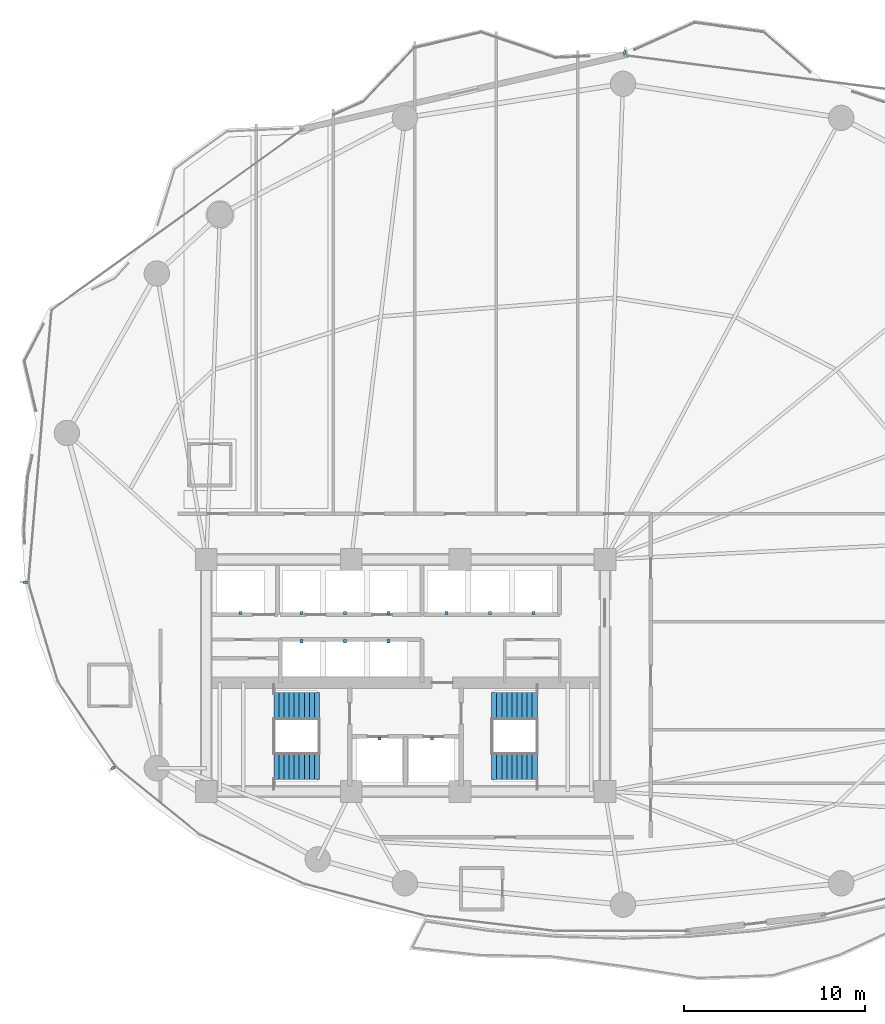
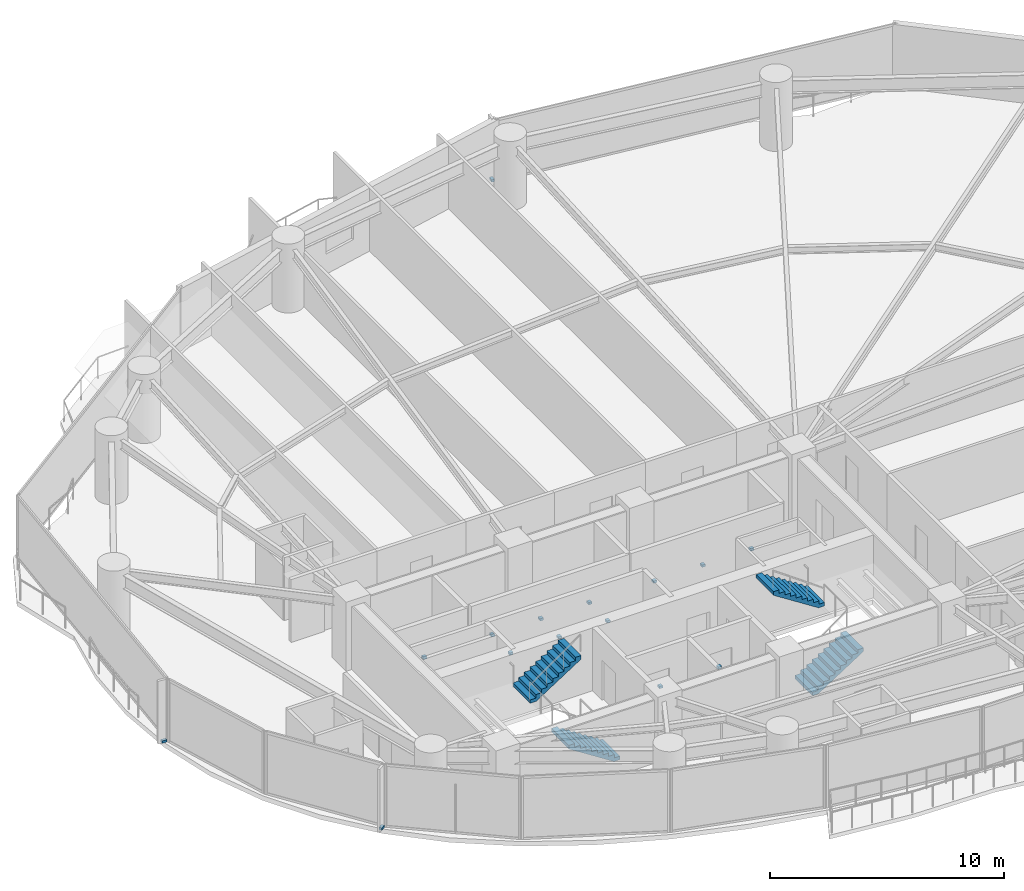
# One storey, part 27 of 30: 15 discrete accessories, 4 stair flights, 2 elements without a shape of their own.
"""IFC4 building model written with IfcOpenShell, lengths in metres."""

from ifc_helpers import new_model, si_unit, direction, frame, origin, origin_2d, place, context, subcontext, project, spatial, polyline, rectangle, outline, extrude, material, layer, layer_set, type_object, element, aggregate, save


model = new_model("IFC4")

# Units and contexts
model_context = context("Model", 3, precision=1e-05, world=origin(), true_north=direction((0.0, 1.0)))
body_context = subcontext(model_context, "Body", "Model", "MODEL_VIEW")
ifc_project = project(units=[si_unit("LENGTHUNIT", "METRE"), si_unit("AREAUNIT", "SQUARE_METRE"), si_unit("VOLUMEUNIT", "CUBIC_METRE"), si_unit("PLANEANGLEUNIT", "RADIAN"), si_unit("MASSUNIT", "GRAM", prefix="KILO")], contexts=[model_context])

# Site, building, storey
site_placement = place(None, origin())
site = spatial("IfcSite", under=ifc_project, at=site_placement, CompositionType="ELEMENT")
building_placement = place(site_placement, origin())
building = spatial("IfcBuilding", under=site, at=building_placement, Name="Kazevale Care Tower and Concert Hall", CompositionType="ELEMENT")
storey_placement = place(building_placement, frame((0.0, 0.0, 88.800048828125)))
storey = spatial("IfcBuildingStorey", under=building, at=storey_placement, Name="L23", CompositionType="ELEMENT", Elevation=88.800048828125)

# Stair, stair flights
ifc_material_1 = material(Name="Concrete C40", Category="concrete")
stair_type = type_object("IfcStairType", Name="Exit Stair Assembly ST1-Z1", PredefinedType="HALF_TURN_STAIR", material=ifc_material_1)
stair_1_placement = place(storey_placement, origin())
stair_1 = element("IfcStair", 1, at=stair_1_placement, inside=storey, type_object=stair_type, Name="stair:L23:ST1", PredefinedType="HALF_TURN_STAIR")
ifc_layer = layer(ifc_material_1, 0.159912109375)
ifc_layer_set = layer_set([ifc_layer], Name="Concrete C40")
stair_flight_type = type_object("IfcStairFlightType", Name="Exit Stair Flight ST1-Z1", PredefinedType="STRAIGHT", material=ifc_layer_set)
stair_flight_1_placement = place(storey_placement, frame((28.25, 24.989990234375, 0.0), z_axis=(0.0, 0.0, 1.0), x_axis=(-1.0, 0.0, 0.0)))
stair_flight_1 = element("IfcStairFlight", 2, at=stair_flight_1_placement, type_object=stair_flight_type, Name="ST1-Z1 flight 1", NumberOfRisers=10, NumberOfTreads=9, PredefinedType="STRAIGHT", RiserHeight=0.18, TreadLength=0.28, context=body_context, shape_type="SweptSolid", body=[
    extrude(outline(polyline([(0.0, 0.0), (0.0, 0.179931640625), (0.280029296875, 0.179931640625), (0.280029296875, 0.360107421875), (0.56005859375, 0.360107421875), (0.56005859375, 0.5400390625), (0.840087890625, 0.5400390625), (0.840087890625, 0.719970703125), (1.1201171875, 0.719970703125), (1.1201171875, 0.89990234375), (1.39990234375, 0.89990234375), (1.39990234375, 1.080078125), (1.679931640625, 1.080078125), (1.679931640625, 1.260009765625), (1.9599609375, 1.260009765625), (1.9599609375, 1.43994140625), (2.239990234375, 1.43994140625), (2.239990234375, 1.6201171875), (2.52001953125, 1.6201171875), (2.52001953125, 1.800048828125), (2.52001953125, 1.429931640625), (0.295654296875, 0.0), (0.0, 0.0)])), frame((0.0, 0.739990234375, 0.0), z_axis=(0.0, -1.0, 0.0), x_axis=(1.0, 0.0, 0.0)), (0.0, 0.0, 1.0), 1.47998046875),
])
stair_flight_2_placement = place(storey_placement, frame((25.72998046875, 28.31005859375, 1.800048828125), z_axis=(0.0, 0.0, 1.0), x_axis=(1.0, 0.0, 0.0)))
stair_flight_2 = element("IfcStairFlight", 3, at=stair_flight_2_placement, type_object=stair_flight_type, Name="ST1-Z1 flight 2", NumberOfRisers=10, NumberOfTreads=9, PredefinedType="STRAIGHT", RiserHeight=0.18, TreadLength=0.28, context=body_context, shape_type="SweptSolid", body=[
    extrude(outline(polyline([(0.0, 0.0), (0.0, 0.179931640625), (0.280029296875, 0.179931640625), (0.280029296875, 0.360107421875), (0.56005859375, 0.360107421875), (0.56005859375, 0.5400390625), (0.840087890625, 0.5400390625), (0.840087890625, 0.719970703125), (1.1201171875, 0.719970703125), (1.1201171875, 0.89990234375), (1.39990234375, 0.89990234375), (1.39990234375, 1.080078125), (1.679931640625, 1.080078125), (1.679931640625, 1.260009765625), (1.9599609375, 1.260009765625), (1.9599609375, 1.43994140625), (2.239990234375, 1.43994140625), (2.239990234375, 1.6201171875), (2.52001953125, 1.6201171875), (2.52001953125, 1.800048828125), (2.52001953125, 1.429931640625), (0.295654296875, 0.0), (0.0, 0.0)])), frame((0.0, 0.739990234375, 0.0), z_axis=(0.0, -1.0, 0.0), x_axis=(1.0, 0.0, 0.0)), (0.0, 0.0, 1.0), 1.47998046875),
])
aggregate(stair_1, [stair_flight_1, stair_flight_2])

stair_2_placement = place(storey_placement, origin())
stair_2 = element("IfcStair", 4, at=stair_2_placement, inside=storey, type_object=stair_type, Name="stair:L23:ST2", PredefinedType="HALF_TURN_STAIR")
stair_flight_3_placement = place(storey_placement, frame((37.75, 24.989990234375, 0.0), z_axis=(0.0, 0.0, 1.0), x_axis=(1.0, 0.0, 0.0)))
stair_flight_3 = element("IfcStairFlight", 5, at=stair_flight_3_placement, type_object=stair_flight_type, Name="ST1-Z1 flight 1", NumberOfRisers=10, NumberOfTreads=9, PredefinedType="STRAIGHT", RiserHeight=0.18, TreadLength=0.28, context=body_context, shape_type="SweptSolid", body=[
    extrude(outline(polyline([(0.0, 0.0), (0.0, 0.179931640625), (0.280029296875, 0.179931640625), (0.280029296875, 0.360107421875), (0.56005859375, 0.360107421875), (0.56005859375, 0.5400390625), (0.840087890625, 0.5400390625), (0.840087890625, 0.719970703125), (1.1201171875, 0.719970703125), (1.1201171875, 0.89990234375), (1.39990234375, 0.89990234375), (1.39990234375, 1.080078125), (1.679931640625, 1.080078125), (1.679931640625, 1.260009765625), (1.9599609375, 1.260009765625), (1.9599609375, 1.43994140625), (2.239990234375, 1.43994140625), (2.239990234375, 1.6201171875), (2.52001953125, 1.6201171875), (2.52001953125, 1.800048828125), (2.52001953125, 1.429931640625), (0.295654296875, 0.0), (0.0, 0.0)])), frame((0.0, 0.739990234375, 0.0), z_axis=(0.0, -1.0, 0.0), x_axis=(1.0, 0.0, 0.0)), (0.0, 0.0, 1.0), 1.47998046875),
])
stair_flight_4_placement = place(storey_placement, frame((40.27001953125, 28.31005859375, 1.800048828125), z_axis=(0.0, 0.0, 1.0), x_axis=(-1.0, 0.0, 0.0)))
stair_flight_4 = element("IfcStairFlight", 6, at=stair_flight_4_placement, type_object=stair_flight_type, Name="ST1-Z1 flight 2", NumberOfRisers=10, NumberOfTreads=9, PredefinedType="STRAIGHT", RiserHeight=0.18, TreadLength=0.28, context=body_context, shape_type="SweptSolid", body=[
    extrude(outline(polyline([(0.0, 0.0), (0.0, 0.179931640625), (0.280029296875, 0.179931640625), (0.280029296875, 0.360107421875), (0.56005859375, 0.360107421875), (0.56005859375, 0.5400390625), (0.840087890625, 0.5400390625), (0.840087890625, 0.719970703125), (1.1201171875, 0.719970703125), (1.1201171875, 0.89990234375), (1.39990234375, 0.89990234375), (1.39990234375, 1.080078125), (1.679931640625, 1.080078125), (1.679931640625, 1.260009765625), (1.9599609375, 1.260009765625), (1.9599609375, 1.43994140625), (2.239990234375, 1.43994140625), (2.239990234375, 1.6201171875), (2.52001953125, 1.6201171875), (2.52001953125, 1.800048828125), (2.52001953125, 1.429931640625), (0.295654296875, 0.0), (0.0, 0.0)])), frame((0.0, 0.739990234375, 0.0), z_axis=(0.0, -1.0, 0.0), x_axis=(1.0, 0.0, 0.0)), (0.0, 0.0, 1.0), 1.47998046875),
])
aggregate(stair_2, [stair_flight_3, stair_flight_4])

# Discrete accessories
ifc_material_2 = material(Name="Stainless Steel 316", Category="steel")
discrete_accessory_type_1 = type_object("IfcDiscreteAccessoryType", Name="Facade Fin Stainless Anchor Bracket BRK-1", PredefinedType="BRACKET", material=ifc_material_2)
for number, where, z_axis, x_axis, name in (
    (7, (16.85791015625, 24.894287109375, 0.0), (0.0, 0.0, 1.0), (-0.825999928064, -0.563670221706, 0.0), "cw:L23:f11:brk"),
    (8, (12.02099609375, 35.145263671875, 0.0), (0.0, 0.0, 1.0), (-0.99643419826, 0.084373506139, 0.0), "cw:L23:f13:brk"),
    (9, (45.09912109375, 64.370849609375, 0.0), (0.0, 0.0, 1.0), (0.127930151302, 0.99178318013, 0.0), "cw:L23:f16:brk"),
):
    element("IfcDiscreteAccessory", number, at=place(storey_placement, frame(where, z_axis=z_axis, x_axis=x_axis)), inside=storey, type_object=discrete_accessory_type_1, Name=name, PredefinedType="BRACKET", context=body_context, shape_type="SweptSolid", body=[
        extrude(rectangle(XDim=0.239990234375, YDim=0.139892578125, at=origin_2d()), origin(), (0.0, 0.0, 1.0), 0.1201171875),
    ])
discrete_accessory_type_2 = type_object("IfcDiscreteAccessoryType", Name="Hoistway Guide-Rail Wall Bracket HBRK-1", PredefinedType="BRACKET", material=ifc_material_2)
for number, where, z_axis, x_axis, name in (
    (10, (31.550048828125, 26.52001953125, 1.239990234375), (0.0, 0.0, 1.0), (1.0, 0.0, 0.0), "hbrk:FFL-1:L23"),
    (11, (34.449951171875, 26.52001953125, 1.239990234375), (0.0, 0.0, 1.0), (1.0, 0.0, 0.0), "hbrk:FFL-2:L23"),
    (12, (23.89990234375, 33.449951171875, 1.239990234375), (0.0, 0.0, 1.0), (1.0, 0.0, 0.0), "hbrk:SVL-1:L23"),
    (13, (27.25, 33.449951171875, 1.239990234375), (0.0, 0.0, 1.0), (1.0, 0.0, 0.0), "hbrk:PL-1:L23"),
    (14, (29.64990234375, 33.449951171875, 1.239990234375), (0.0, 0.0, 1.0), (1.0, 0.0, 0.0), "hbrk:PL-2:L23"),
    (15, (32.050048828125, 33.449951171875, 1.239990234375), (0.0, 0.0, 1.0), (1.0, 0.0, 0.0), "hbrk:PL-3:L23"),
    (16, (35.25, 33.449951171875, 1.239990234375), (0.0, 0.0, 1.0), (1.0, 0.0, 0.0), "hbrk:PM-1:L23"),
    (17, (37.64990234375, 33.449951171875, 1.239990234375), (0.0, 0.0, 1.0), (1.0, 0.0, 0.0), "hbrk:PM-2:L23"),
    (18, (40.050048828125, 33.449951171875, 1.239990234375), (0.0, 0.0, 1.0), (1.0, 0.0, 0.0), "hbrk:PM-3:L23"),
    (19, (27.25, 31.8798828125, 1.239990234375), (0.0, 0.0, 1.0), (1.0, 0.0, 0.0), "hbrk:PH-1:L23"),
    (20, (29.64990234375, 31.8798828125, 1.239990234375), (0.0, 0.0, 1.0), (1.0, 0.0, 0.0), "hbrk:PH-2:L23"),
    (21, (32.050048828125, 31.8798828125, 1.239990234375), (0.0, 0.0, 1.0), (1.0, 0.0, 0.0), "hbrk:PH-3:L23"),
):
    element("IfcDiscreteAccessory", number, at=place(storey_placement, frame(where, z_axis=z_axis, x_axis=x_axis)), inside=storey, type_object=discrete_accessory_type_2, Name=name, PredefinedType="BRACKET", context=body_context, shape_type="SweptSolid", body=[
        extrude(rectangle(XDim=0.159912109375, YDim=0.179931640625, at=origin_2d()), origin(), (0.0, 0.0, 1.0), 0.1201171875),
    ])

save(model, "model.ifc")
